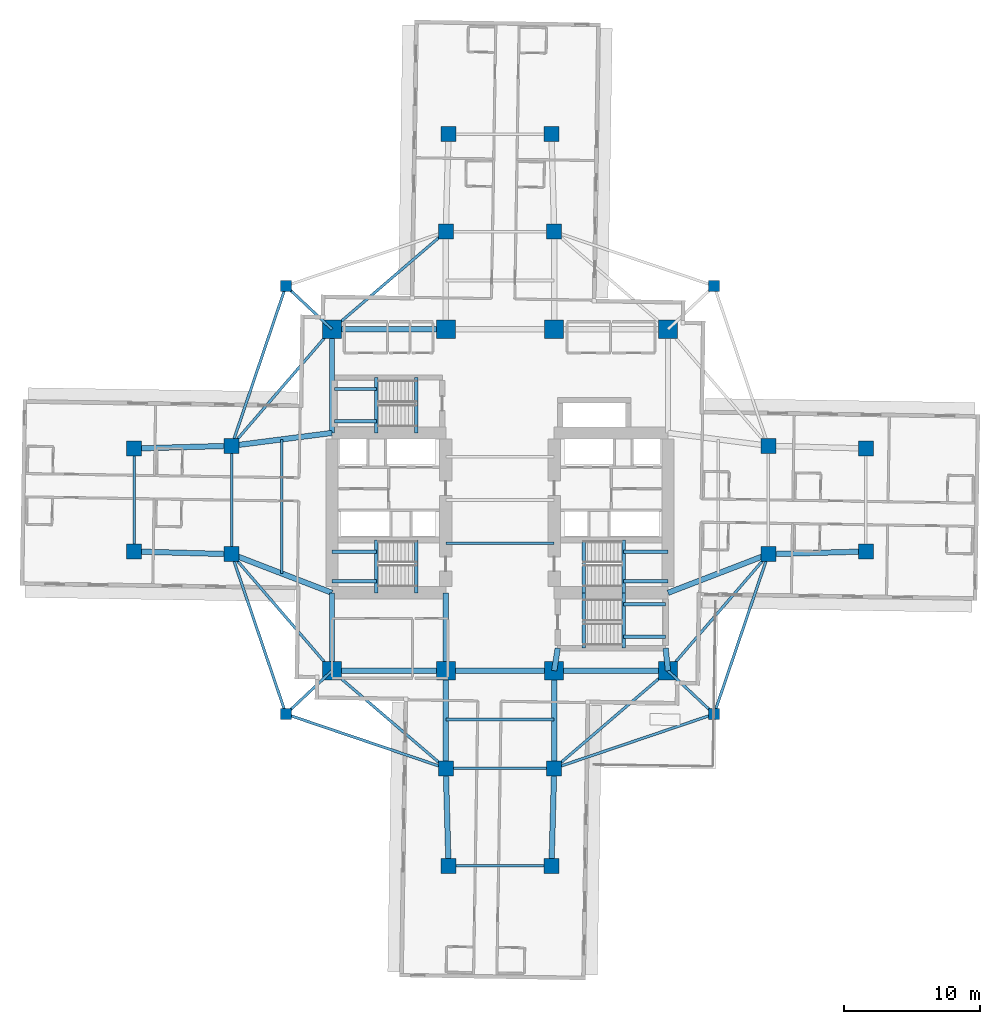
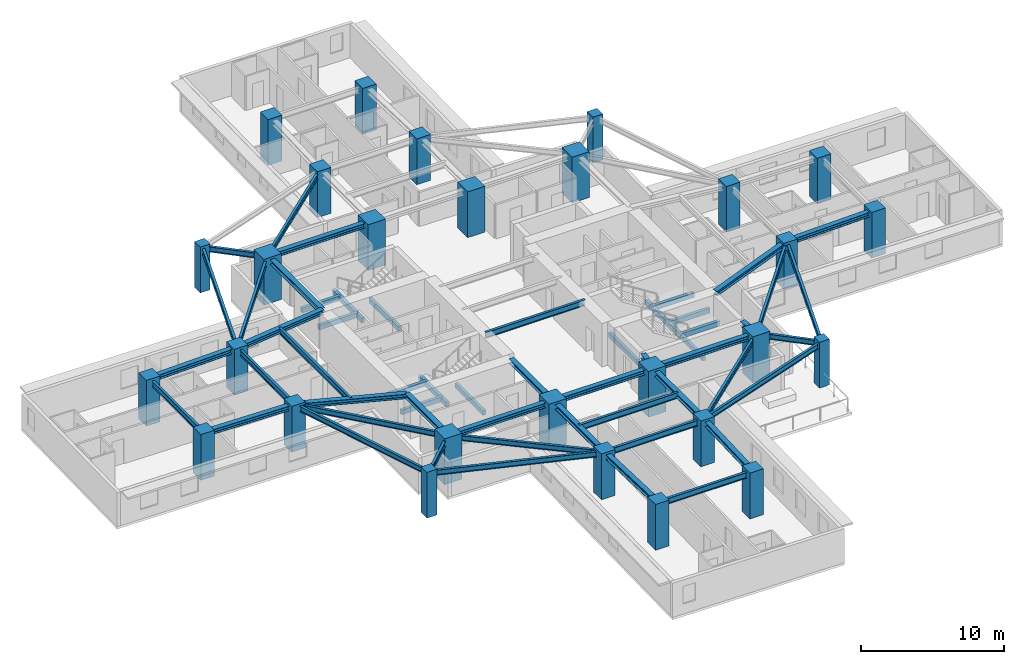
# One storey, part 1 of 13: 56 beams, 28 columns.
"""IFC4 building model written with IfcOpenShell, lengths in metres."""

from ifc_helpers import new_model, si_unit, direction, frame, origin, origin_2d, place, context, subcontext, project, spatial, rectangle, i_section, extrude, material, material_profile, profile_set, type_object, element, save


model = new_model("IFC4")

# Units and contexts
model_context = context("Model", 3, precision=1e-05, world=origin(), true_north=direction((0.0, 1.0)))
body_context = subcontext(model_context, "Body", "Model", "MODEL_VIEW")
ifc_project = project(units=[si_unit("LENGTHUNIT", "METRE"), si_unit("AREAUNIT", "SQUARE_METRE"), si_unit("VOLUMEUNIT", "CUBIC_METRE"), si_unit("PLANEANGLEUNIT", "RADIAN"), si_unit("MASSUNIT", "GRAM", prefix="KILO")], contexts=[model_context])

# Site, building, storey
site_placement = place(None, origin())
site = spatial("IfcSite", under=ifc_project, at=site_placement, CompositionType="ELEMENT")
building_placement = place(site_placement, origin())
building = spatial("IfcBuilding", under=site, at=building_placement, Name="Qingluan Cross Belvedere", CompositionType="ELEMENT")
storey_placement = place(building_placement, frame((0.0, 0.0, 67.800048828125)))
storey = spatial("IfcBuildingStorey", under=building, at=storey_placement, Name="L17", CompositionType="ELEMENT", Elevation=67.800048828125)

# Columns
ifc_material_1 = material(Name="Concrete C60", Category="concrete")
ifc_material_profile_1 = material_profile(ifc_material_1, rectangle(XDim=1.10009765625, YDim=1.10009765625, at=origin_2d()), Name="RC1100x1100")
ifc_profile_set_1 = profile_set([ifc_material_profile_1], Name="Concrete C60")
column_type_1 = type_object("IfcColumnType", Name="Column_RC1100x1100", PredefinedType="COLUMN", material=ifc_profile_set_1)
for number, where, z_axis, x_axis, name in (
    (1, (19.800048828125, -4.0, 0.0), (0.0, 0.0, 1.0), (1.0, 0.0, 0.0), "Arm column L17-EIA"),
    (2, (19.800048828125, 4.0, 0.0), (0.0, 0.0, 1.0), (1.0, 0.0, 0.0), "Arm column L17-EIB"),
    (3, (-19.800048828125, -4.0, 0.0), (0.0, 0.0, 1.0), (1.0, 0.0, 0.0), "Arm column L17-WIA"),
    (4, (-19.800048828125, 4.0, 0.0), (0.0, 0.0, 1.0), (1.0, 0.0, 0.0), "Arm column L17-WIB"),
    (5, (-4.0, -19.800048828125, 0.0), (0.0, 0.0, 1.0), (1.0, 0.0, 0.0), "Arm column L17-SIA"),
    (6, (4.0, -19.800048828125, 0.0), (0.0, 0.0, 1.0), (1.0, 0.0, 0.0), "Arm column L17-SIB"),
    (7, (-4.0, 19.800048828125, 0.0), (0.0, 0.0, 1.0), (1.0, 0.0, 0.0), "Arm column L17-NIA"),
    (8, (4.0, 19.800048828125, 0.0), (0.0, 0.0, 1.0), (1.0, 0.0, 0.0), "Arm column L17-NIB"),
    (9, (27.0, -3.800048828125, 0.0), (0.0, 0.0, 1.0), (1.0, 0.0, 0.0), "Arm column L17-EOA"),
    (10, (27.0, 3.800048828125, 0.0), (0.0, 0.0, 1.0), (1.0, 0.0, 0.0), "Arm column L17-EOB"),
    (11, (-27.0, -3.800048828125, 0.0), (0.0, 0.0, 1.0), (1.0, 0.0, 0.0), "Arm column L17-WOA"),
    (12, (-27.0, 3.800048828125, 0.0), (0.0, 0.0, 1.0), (1.0, 0.0, 0.0), "Arm column L17-WOB"),
    (13, (-3.800048828125, -27.0, 0.0), (0.0, 0.0, 1.0), (1.0, 0.0, 0.0), "Arm column L17-SOA"),
    (14, (3.800048828125, -27.0, 0.0), (0.0, 0.0, 1.0), (1.0, 0.0, 0.0), "Arm column L17-SOB"),
    (15, (-3.800048828125, 27.0, 0.0), (0.0, 0.0, 1.0), (1.0, 0.0, 0.0), "Arm column L17-NOA"),
    (16, (3.800048828125, 27.0, 0.0), (0.0, 0.0, 1.0), (1.0, 0.0, 0.0), "Arm column L17-NOB"),
):
    element("IfcColumn", number, at=place(storey_placement, frame(where, z_axis=z_axis, x_axis=x_axis)), inside=storey, type_object=column_type_1, Name=name, PredefinedType="COLUMN", context=body_context, shape_type="SweptSolid", body=[
        extrude(rectangle(XDim=1.10009765625, YDim=1.10009765625, at=origin_2d()), origin(), (0.0, 0.0, 1.0), 3.89990234375),
    ])
ifc_material_2 = material(Name="Concrete C70", Category="concrete")
ifc_material_profile_2 = material_profile(ifc_material_2, rectangle(XDim=1.39990234375, YDim=1.39990234375, at=origin_2d()), Name="RC1400x1400")
ifc_profile_set_2 = profile_set([ifc_material_profile_2], Name="Concrete C70")
column_type_2 = type_object("IfcColumnType", Name="Column_RC1400x1400", PredefinedType="COLUMN", material=ifc_profile_set_2)
for number, where, z_axis, x_axis, name in (
    (17, (-12.39990234375, -12.60009765625, 0.0), (0.0, 0.0, 1.0), (1.0, 0.0, 0.0), "Hub column L17-HC1"),
    (18, (12.39990234375, -12.60009765625, 0.0), (0.0, 0.0, 1.0), (1.0, 0.0, 0.0), "Hub column L17-HC2"),
    (19, (12.39990234375, 12.60009765625, 0.0), (0.0, 0.0, 1.0), (1.0, 0.0, 0.0), "Hub column L17-HC3"),
    (20, (-12.39990234375, 12.60009765625, 0.0), (0.0, 0.0, 1.0), (1.0, 0.0, 0.0), "Hub column L17-HC4"),
    (21, (-4.0, -12.60009765625, 0.0), (0.0, 0.0, 1.0), (1.0, 0.0, 0.0), "Hub column L17-HC5"),
    (22, (4.0, -12.60009765625, 0.0), (0.0, 0.0, 1.0), (1.0, 0.0, 0.0), "Hub column L17-HC6"),
    (23, (4.0, 12.60009765625, 0.0), (0.0, 0.0, 1.0), (1.0, 0.0, 0.0), "Hub column L17-HC7"),
    (24, (-4.0, 12.60009765625, 0.0), (0.0, 0.0, 1.0), (1.0, 0.0, 0.0), "Hub column L17-HC8"),
):
    element("IfcColumn", number, at=place(storey_placement, frame(where, z_axis=z_axis, x_axis=x_axis)), inside=storey, type_object=column_type_2, Name=name, PredefinedType="COLUMN", context=body_context, shape_type="SweptSolid", body=[
        extrude(rectangle(XDim=1.39990234375, YDim=1.39990234375, at=origin_2d()), origin(), (0.0, 0.0, 1.0), 3.89990234375),
    ])
ifc_material_3 = material(Name="Concrete C50", Category="concrete")
ifc_material_profile_3 = material_profile(ifc_material_3, rectangle(XDim=0.800048828125, YDim=0.800048828125, at=origin_2d()), Name="RC800x800")
ifc_profile_set_3 = profile_set([ifc_material_profile_3], Name="Concrete C50")
column_type_3 = type_object("IfcColumnType", Name="Column_RC800x800", PredefinedType="COLUMN", material=ifc_profile_set_3)
for number, where, z_axis, x_axis, name in (
    (25, (15.800048828125, 15.800048828125, 0.0), (0.0, 0.0, 1.0), (1.0, 0.0, 0.0), "Corner column L17-RNE"),
    (26, (-15.800048828125, 15.800048828125, 0.0), (0.0, 0.0, 1.0), (1.0, 0.0, 0.0), "Corner column L17-RNW"),
    (27, (-15.800048828125, -15.800048828125, 0.0), (0.0, 0.0, 1.0), (1.0, 0.0, 0.0), "Corner column L17-RSW"),
    (28, (15.800048828125, -15.800048828125, 0.0), (0.0, 0.0, 1.0), (1.0, 0.0, 0.0), "Corner column L17-RSE"),
):
    element("IfcColumn", number, at=place(storey_placement, frame(where, z_axis=z_axis, x_axis=x_axis)), inside=storey, type_object=column_type_3, Name=name, PredefinedType="COLUMN", context=body_context, shape_type="SweptSolid", body=[
        extrude(rectangle(XDim=0.800048828125, YDim=0.800048828125, at=origin_2d()), origin(), (0.0, 0.0, 1.0), 3.89990234375),
    ])

# Beams
ifc_material_4 = material(Name="Concrete C45", Category="concrete")
ifc_material_profile_4 = material_profile(ifc_material_4, rectangle(XDim=0.25, YDim=0.39990234375, at=origin_2d()), Name="RC250x400")
ifc_profile_set_4 = profile_set([ifc_material_profile_4], Name="Concrete C45")
beam_type_1 = type_object("IfcBeamType", Name="RC_Lintel_RC250x400", PredefinedType="LINTEL", material=ifc_profile_set_4)
for number, where, z_axis, x_axis, name in (
    (29, (-6.179931640625, -6.85009765625, -0.199951171875), (0.0, 1.0, 0.0), (-1.0, 0.0, 0.0), "Stair ST1 landing beam L17"),
    (30, (6.179931640625, -6.85009765625, -0.199951171875), (0.0, 1.0, 0.0), (-1.0, 0.0, 0.0), "Stair ST2 landing beam L17"),
):
    element("IfcBeam", number, at=place(storey_placement, frame(where, z_axis=z_axis, x_axis=x_axis)), inside=storey, type_object=beam_type_1, Name=name, PredefinedType="LINTEL", context=body_context, shape_type="SweptSolid", body=[
        extrude(rectangle(XDim=0.25, YDim=0.39990234375, at=origin_2d()), origin(), (0.0, 0.0, 1.0), 3.89013671875),
    ])
beam_1_placement = place(storey_placement, frame((-6.179931640625, 4.949951171875, -0.199951171875), z_axis=(0.0, 1.0, 0.0), x_axis=(-1.0, 0.0, 0.0)))
element("IfcBeam", 31, at=beam_1_placement, inside=storey, type_object=beam_type_1, Name="Stair ST3 landing beam L17", PredefinedType="LINTEL", context=body_context, shape_type="SweptSolid", body=[
    extrude(rectangle(XDim=0.25, YDim=0.39990234375, at=origin_2d()), origin(), (0.0, 0.0, 1.0), 4.090087890625),
])
beam_2_placement = place(storey_placement, frame((6.179931640625, -10.93994140625, -0.199951171875), z_axis=(0.0, 1.0, 0.0), x_axis=(-1.0, 0.0, 0.0)))
element("IfcBeam", 32, at=beam_2_placement, inside=storey, type_object=beam_type_1, Name="Stair ST4 landing beam L17", PredefinedType="LINTEL", context=body_context, shape_type="SweptSolid", body=[
    extrude(rectangle(XDim=0.25, YDim=0.39990234375, at=origin_2d()), origin(), (0.0, 0.0, 1.0), 4.08984375),
])
beam_3_placement = place(storey_placement, frame((-9.1298828125, -6.85009765625, 1.550048828125), z_axis=(0.0, 1.0, 0.0), x_axis=(-1.0, 0.0, 0.0)))
element("IfcBeam", 33, at=beam_3_placement, inside=storey, type_object=beam_type_1, Name="Stair ST1 beam A L17", PredefinedType="LINTEL", context=body_context, shape_type="SweptSolid", body=[
    extrude(rectangle(XDim=0.25, YDim=0.39990234375, at=origin_2d()), origin(), (0.0, 0.0, 1.0), 3.89013671875),
])
for number, where, z_axis, x_axis, name in (
    (34, (-12.39990234375, -6.0, 1.550048828125), (1.0, 0.0, 0.0), (0.0, 1.0, 0.0), "Stair ST1 beam B L17"),
    (35, (-12.39990234375, -3.81005859375, 1.550048828125), (1.0, 0.0, 0.0), (0.0, 1.0, 0.0), "Stair ST1 beam C L17"),
):
    element("IfcBeam", number, at=place(storey_placement, frame(where, z_axis=z_axis, x_axis=x_axis)), inside=storey, type_object=beam_type_1, Name=name, PredefinedType="LINTEL", context=body_context, shape_type="SweptSolid", body=[
        extrude(rectangle(XDim=0.25, YDim=0.39990234375, at=origin_2d()), origin(), (0.0, 0.0, 1.0), 3.27001953125),
    ])
beam_4_placement = place(storey_placement, frame((9.1298828125, -6.85009765625, 1.550048828125), z_axis=(0.0, 1.0, 0.0), x_axis=(-1.0, 0.0, 0.0)))
element("IfcBeam", 36, at=beam_4_placement, inside=storey, type_object=beam_type_1, Name="Stair ST2 beam A L17", PredefinedType="LINTEL", context=body_context, shape_type="SweptSolid", body=[
    extrude(rectangle(XDim=0.25, YDim=0.39990234375, at=origin_2d()), origin(), (0.0, 0.0, 1.0), 3.89013671875),
])
for number, where, z_axis, x_axis, name in (
    (37, (12.39990234375, -6.0, 1.550048828125), (-1.0, 0.0, 0.0), (0.0, -1.0, 0.0), "Stair ST2 beam B L17"),
    (38, (12.39990234375, -3.81005859375, 1.550048828125), (-1.0, 0.0, 0.0), (0.0, -1.0, 0.0), "Stair ST2 beam C L17"),
):
    element("IfcBeam", number, at=place(storey_placement, frame(where, z_axis=z_axis, x_axis=x_axis)), inside=storey, type_object=beam_type_1, Name=name, PredefinedType="LINTEL", context=body_context, shape_type="SweptSolid", body=[
        extrude(rectangle(XDim=0.25, YDim=0.39990234375, at=origin_2d()), origin(), (0.0, 0.0, 1.0), 3.27001953125),
    ])
beam_5_placement = place(storey_placement, frame((-9.1298828125, 4.949951171875, 1.550048828125), z_axis=(0.0, 1.0, 0.0), x_axis=(-1.0, 0.0, 0.0)))
element("IfcBeam", 39, at=beam_5_placement, inside=storey, type_object=beam_type_1, Name="Stair ST3 beam A L17", PredefinedType="LINTEL", context=body_context, shape_type="SweptSolid", body=[
    extrude(rectangle(XDim=0.25, YDim=0.39990234375, at=origin_2d()), origin(), (0.0, 0.0, 1.0), 4.090087890625),
])
for number, where, z_axis, x_axis, name in (
    (40, (-12.219970703125, 5.800048828125, 1.550048828125), (1.0, 0.0, 0.0), (0.0, 1.0, 0.0), "Stair ST3 beam B L17"),
    (41, (-12.219970703125, 8.18994140625, 1.550048828125), (1.0, 0.0, 0.0), (0.0, 1.0, 0.0), "Stair ST3 beam C L17"),
):
    element("IfcBeam", number, at=place(storey_placement, frame(where, z_axis=z_axis, x_axis=x_axis)), inside=storey, type_object=beam_type_1, Name=name, PredefinedType="LINTEL", context=body_context, shape_type="SweptSolid", body=[
        extrude(rectangle(XDim=0.25, YDim=0.39990234375, at=origin_2d()), origin(), (0.0, 0.0, 1.0), 3.090087890625),
    ])
beam_6_placement = place(storey_placement, frame((9.1298828125, -10.93994140625, 1.550048828125), z_axis=(0.0, 1.0, 0.0), x_axis=(-1.0, 0.0, 0.0)))
element("IfcBeam", 42, at=beam_6_placement, inside=storey, type_object=beam_type_1, Name="Stair ST4 beam A L17", PredefinedType="LINTEL", context=body_context, shape_type="SweptSolid", body=[
    extrude(rectangle(XDim=0.25, YDim=0.39990234375, at=origin_2d()), origin(), (0.0, 0.0, 1.0), 4.08984375),
])
for number, where, z_axis, x_axis, name in (
    (43, (12.219970703125, -10.090087890625, 1.550048828125), (-1.0, 0.0, 0.0), (0.0, -1.0, 0.0), "Stair ST4 beam B L17"),
    (44, (12.219970703125, -7.699951171875, 1.550048828125), (-1.0, 0.0, 0.0), (0.0, -1.0, 0.0), "Stair ST4 beam C L17"),
):
    element("IfcBeam", number, at=place(storey_placement, frame(where, z_axis=z_axis, x_axis=x_axis)), inside=storey, type_object=beam_type_1, Name=name, PredefinedType="LINTEL", context=body_context, shape_type="SweptSolid", body=[
        extrude(rectangle(XDim=0.25, YDim=0.39990234375, at=origin_2d()), origin(), (0.0, 0.0, 1.0), 3.090087890625),
    ])
ifc_material_5 = material(Name="Steel Q420GJB", Category="steel")
ifc_material_profile_5 = material_profile(ifc_material_5, i_section(OverallWidth=0.199951171875, OverallDepth=0.449951171875, WebThickness=0.009033203125, FlangeThickness=0.013916015625, FilletRadius=0.01611328125, at=origin_2d()), Name="HN450x200x9x14")
ifc_profile_set_5 = profile_set([ifc_material_profile_5], Name="Steel Q420GJB")
beam_type_2 = type_object("IfcBeamType", Name="Steel_Beam_HN450x200x9x14", PredefinedType="JOIST", material=ifc_profile_set_5)
beam_7_placement = place(storey_placement, frame((-12.39990234375, 12.60009765625, 3.474853515625), z_axis=(-0.728219948308, 0.685343495546, 0.0), x_axis=(-0.685343495546, -0.728219948308, 0.0)))
element("IfcBeam", 45, at=beam_7_placement, inside=storey, type_object=beam_type_2, Name="Corner beam 1 L17-RNW", PredefinedType="JOIST", context=body_context, shape_type="SweptSolid", body=[
    extrude(i_section(OverallWidth=0.199951171875, OverallDepth=0.449951171875, WebThickness=0.009033203125, FlangeThickness=0.013916015625, FilletRadius=0.01611328125, at=origin_2d()), origin(), (0.0, 0.0, 1.0), 4.669189453125),
])
beam_8_placement = place(storey_placement, frame((-15.800048828125, 15.800048828125, 3.474853515625), z_axis=(-0.321038089628, -0.947066283324, 0.0), x_axis=(0.947066283324, -0.321038089628, 0.0)))
element("IfcBeam", 46, at=beam_8_placement, inside=storey, type_object=beam_type_2, Name="Corner beam 3 L17-RNW", PredefinedType="JOIST", context=body_context, shape_type="SweptSolid", body=[
    extrude(i_section(OverallWidth=0.199951171875, OverallDepth=0.449951171875, WebThickness=0.009033203125, FlangeThickness=0.013916015625, FilletRadius=0.01611328125, at=origin_2d()), origin(), (0.0, 0.0, 1.0), 12.45947265625),
])
beam_9_placement = place(storey_placement, frame((-12.39990234375, 12.60009765625, 3.474853515625), z_axis=(-0.652245077546, -0.75800815221, 0.0), x_axis=(0.75800815221, -0.652245077546, 0.0)))
element("IfcBeam", 47, at=beam_9_placement, inside=storey, type_object=beam_type_2, Name="Corner beam 4 L17-RNW", PredefinedType="JOIST", context=body_context, shape_type="SweptSolid", body=[
    extrude(i_section(OverallWidth=0.199951171875, OverallDepth=0.449951171875, WebThickness=0.009033203125, FlangeThickness=0.013916015625, FilletRadius=0.01611328125, at=origin_2d()), origin(), (0.0, 0.0, 1.0), 11.345703125),
])
beam_10_placement = place(storey_placement, frame((-12.39990234375, 12.60009765625, 3.474853515625), z_axis=(0.759255044656, 0.650793190779, 0.0), x_axis=(-0.650793190779, 0.759255044656, 0.0)))
element("IfcBeam", 48, at=beam_10_placement, inside=storey, type_object=beam_type_2, Name="Corner beam 5 L17-RNW", PredefinedType="JOIST", context=body_context, shape_type="SweptSolid", body=[
    extrude(i_section(OverallWidth=0.199951171875, OverallDepth=0.449951171875, WebThickness=0.009033203125, FlangeThickness=0.013916015625, FilletRadius=0.01611328125, at=origin_2d()), origin(), (0.0, 0.0, 1.0), 11.063232421875),
])
beam_11_placement = place(storey_placement, frame((-12.39990234375, -12.60009765625, 3.474853515625), z_axis=(-0.728219948308, -0.685343495546, 0.0), x_axis=(0.685343495546, -0.728219948308, 0.0)))
element("IfcBeam", 49, at=beam_11_placement, inside=storey, type_object=beam_type_2, Name="Corner beam 1 L17-RSW", PredefinedType="JOIST", context=body_context, shape_type="SweptSolid", body=[
    extrude(i_section(OverallWidth=0.199951171875, OverallDepth=0.449951171875, WebThickness=0.009033203125, FlangeThickness=0.013916015625, FilletRadius=0.01611328125, at=origin_2d()), origin(), (0.0, 0.0, 1.0), 4.669189453125),
])
for number, where, z_axis, x_axis, name in (
    (50, (-15.800048828125, -15.800048828125, 3.474853515625), (0.947066283324, -0.321038089628, 0.0), (0.321038089628, 0.947066283324, 0.0), "Corner beam 2 L17-RSW"),
    (51, (-15.800048828125, -15.800048828125, 3.474853515625), (-0.321038089628, 0.947066283324, 0.0), (-0.947066283324, -0.321038089628, 0.0), "Corner beam 3 L17-RSW"),
):
    element("IfcBeam", number, at=place(storey_placement, frame(where, z_axis=z_axis, x_axis=x_axis)), inside=storey, type_object=beam_type_2, Name=name, PredefinedType="JOIST", context=body_context, shape_type="SweptSolid", body=[
        extrude(i_section(OverallWidth=0.199951171875, OverallDepth=0.449951171875, WebThickness=0.009033203125, FlangeThickness=0.013916015625, FilletRadius=0.01611328125, at=origin_2d()), origin(), (0.0, 0.0, 1.0), 12.45947265625),
    ])
beam_12_placement = place(storey_placement, frame((-12.39990234375, -12.60009765625, 3.474853515625), z_axis=(-0.652245077546, 0.75800815221, 0.0), x_axis=(-0.75800815221, -0.652245077546, 0.0)))
element("IfcBeam", 52, at=beam_12_placement, inside=storey, type_object=beam_type_2, Name="Corner beam 4 L17-RSW", PredefinedType="JOIST", context=body_context, shape_type="SweptSolid", body=[
    extrude(i_section(OverallWidth=0.199951171875, OverallDepth=0.449951171875, WebThickness=0.009033203125, FlangeThickness=0.013916015625, FilletRadius=0.01611328125, at=origin_2d()), origin(), (0.0, 0.0, 1.0), 11.345703125),
])
beam_13_placement = place(storey_placement, frame((-12.39990234375, -12.60009765625, 3.474853515625), z_axis=(0.759255044656, -0.650793190779, 0.0), x_axis=(0.650793190779, 0.759255044656, 0.0)))
element("IfcBeam", 53, at=beam_13_placement, inside=storey, type_object=beam_type_2, Name="Corner beam 5 L17-RSW", PredefinedType="JOIST", context=body_context, shape_type="SweptSolid", body=[
    extrude(i_section(OverallWidth=0.199951171875, OverallDepth=0.449951171875, WebThickness=0.009033203125, FlangeThickness=0.013916015625, FilletRadius=0.01611328125, at=origin_2d()), origin(), (0.0, 0.0, 1.0), 11.063232421875),
])
beam_14_placement = place(storey_placement, frame((12.39990234375, -12.60009765625, 3.454833984375), z_axis=(0.728219948308, -0.685343495546, 0.0), x_axis=(0.685343495546, 0.728219948308, 0.0)))
element("IfcBeam", 54, at=beam_14_placement, inside=storey, type_object=beam_type_2, Name="Corner beam 1 L17-RSE", PredefinedType="JOIST", context=body_context, shape_type="SweptSolid", body=[
    extrude(i_section(OverallWidth=0.199951171875, OverallDepth=0.449951171875, WebThickness=0.009033203125, FlangeThickness=0.013916015625, FilletRadius=0.01611328125, at=origin_2d()), origin(), (0.0, 0.0, 1.0), 4.669189453125),
])
for number, where, z_axis, x_axis, name in (
    (55, (15.800048828125, -15.800048828125, 3.454833984375), (-0.947066283324, -0.321038089628, 0.0), (0.321038089628, -0.947066283324, 0.0), "Corner beam 2 L17-RSE"),
    (56, (15.800048828125, -15.800048828125, 3.454833984375), (0.321038089628, 0.947066283324, 0.0), (-0.947066283324, 0.321038089628, 0.0), "Corner beam 3 L17-RSE"),
):
    element("IfcBeam", number, at=place(storey_placement, frame(where, z_axis=z_axis, x_axis=x_axis)), inside=storey, type_object=beam_type_2, Name=name, PredefinedType="JOIST", context=body_context, shape_type="SweptSolid", body=[
        extrude(i_section(OverallWidth=0.199951171875, OverallDepth=0.449951171875, WebThickness=0.009033203125, FlangeThickness=0.013916015625, FilletRadius=0.01611328125, at=origin_2d()), origin(), (0.0, 0.0, 1.0), 12.45947265625),
    ])
beam_15_placement = place(storey_placement, frame((12.39990234375, -12.60009765625, 3.454833984375), z_axis=(0.652245077546, 0.75800815221, 0.0), x_axis=(-0.75800815221, 0.652245077546, 0.0)))
element("IfcBeam", 57, at=beam_15_placement, inside=storey, type_object=beam_type_2, Name="Corner beam 4 L17-RSE", PredefinedType="JOIST", context=body_context, shape_type="SweptSolid", body=[
    extrude(i_section(OverallWidth=0.199951171875, OverallDepth=0.449951171875, WebThickness=0.009033203125, FlangeThickness=0.013916015625, FilletRadius=0.01611328125, at=origin_2d()), origin(), (0.0, 0.0, 1.0), 11.345703125),
])
beam_16_placement = place(storey_placement, frame((12.39990234375, -12.60009765625, 3.454833984375), z_axis=(-0.759255044656, -0.650793190779, 0.0), x_axis=(0.650793190779, -0.759255044656, 0.0)))
element("IfcBeam", 58, at=beam_16_placement, inside=storey, type_object=beam_type_2, Name="Corner beam 5 L17-RSE", PredefinedType="JOIST", context=body_context, shape_type="SweptSolid", body=[
    extrude(i_section(OverallWidth=0.199951171875, OverallDepth=0.449951171875, WebThickness=0.009033203125, FlangeThickness=0.013916015625, FilletRadius=0.01611328125, at=origin_2d()), origin(), (0.0, 0.0, 1.0), 11.063232421875),
])
ifc_material_6 = material(Name="Steel Q420GJB", Category="steel")
ifc_material_profile_6 = material_profile(ifc_material_6, i_section(OverallWidth=0.199951171875, OverallDepth=0.5, WebThickness=0.010009765625, FlangeThickness=0.01611328125, FilletRadius=0.01611328125, at=origin_2d()), Name="HN500x200x10x16")
ifc_profile_set_6 = profile_set([ifc_material_profile_6], Name="Steel Q420GJB")
beam_type_3 = type_object("IfcBeamType", Name="Steel_Beam_HN500x200x10x16", PredefinedType="JOIST", material=ifc_profile_set_6)
for number, where, z_axis, x_axis, name in (
    (59, (-4.0, -3.199951171875, 3.449951171875), (1.0, 0.0, 0.0), (0.0, 1.0, 0.0), "Hall beam L17-CH1"),
    (60, (-19.800048828125, -4.0, 3.449951171875), (0.0, 1.0, 0.0), (-1.0, 0.0, 0.0), "Arm W tie L17"),
):
    element("IfcBeam", number, at=place(storey_placement, frame(where, z_axis=z_axis, x_axis=x_axis)), inside=storey, type_object=beam_type_3, Name=name, PredefinedType="JOIST", context=body_context, shape_type="SweptSolid", body=[
        extrude(i_section(OverallWidth=0.199951171875, OverallDepth=0.5, WebThickness=0.010009765625, FlangeThickness=0.01611328125, FilletRadius=0.01611328125, at=origin_2d()), origin(), (0.0, 0.0, 1.0), 8.0),
    ])
beam_17_placement = place(storey_placement, frame((-16.10009765625, -5.425048828125, 3.449951171875), z_axis=(0.0, 1.0, 0.0), x_axis=(-1.0, 0.0, 0.0)))
element("IfcBeam", 61, at=beam_17_placement, inside=storey, type_object=beam_type_3, Name="Arm W beam L17", PredefinedType="JOIST", context=body_context, shape_type="SweptSolid", body=[
    extrude(i_section(OverallWidth=0.199951171875, OverallDepth=0.5, WebThickness=0.010009765625, FlangeThickness=0.01611328125, FilletRadius=0.01611328125, at=origin_2d()), origin(), (0.0, 0.0, 1.0), 9.900146484375),
])
beam_18_placement = place(storey_placement, frame((-27.0, -3.800048828125, 3.449951171875), z_axis=(0.0, 1.0, 0.0), x_axis=(-1.0, 0.0, 0.0)))
element("IfcBeam", 62, at=beam_18_placement, inside=storey, type_object=beam_type_3, Name="Arm W tip transverse beam L17", PredefinedType="JOIST", context=body_context, shape_type="SweptSolid", body=[
    extrude(i_section(OverallWidth=0.199951171875, OverallDepth=0.5, WebThickness=0.010009765625, FlangeThickness=0.01611328125, FilletRadius=0.01611328125, at=origin_2d()), origin(), (0.0, 0.0, 1.0), 7.60009765625),
])
for number, where, z_axis, x_axis, name in (
    (63, (-4.0, -19.800048828125, 3.449951171875), (1.0, 0.0, 0.0), (0.0, 1.0, 0.0), "Arm S tie L17"),
    (64, (-4.0, -16.199951171875, 3.449951171875), (1.0, 0.0, 0.0), (0.0, 1.0, 0.0), "Arm S beam L17"),
):
    element("IfcBeam", number, at=place(storey_placement, frame(where, z_axis=z_axis, x_axis=x_axis)), inside=storey, type_object=beam_type_3, Name=name, PredefinedType="JOIST", context=body_context, shape_type="SweptSolid", body=[
        extrude(i_section(OverallWidth=0.199951171875, OverallDepth=0.5, WebThickness=0.010009765625, FlangeThickness=0.01611328125, FilletRadius=0.01611328125, at=origin_2d()), origin(), (0.0, 0.0, 1.0), 8.0),
    ])
beam_19_placement = place(storey_placement, frame((-3.800048828125, -27.0, 3.449951171875), z_axis=(1.0, 0.0, 0.0), x_axis=(0.0, 1.0, 0.0)))
element("IfcBeam", 65, at=beam_19_placement, inside=storey, type_object=beam_type_3, Name="Arm S tip transverse beam L17", PredefinedType="JOIST", context=body_context, shape_type="SweptSolid", body=[
    extrude(i_section(OverallWidth=0.199951171875, OverallDepth=0.5, WebThickness=0.010009765625, FlangeThickness=0.01611328125, FilletRadius=0.01611328125, at=origin_2d()), origin(), (0.0, 0.0, 1.0), 7.60009765625),
])
ifc_material_7 = material(Name="Steel Q420GJB", Category="steel")
ifc_material_profile_7 = material_profile(ifc_material_7, i_section(OverallWidth=0.39990234375, OverallDepth=0.39990234375, WebThickness=0.012939453125, FlangeThickness=0.02099609375, FilletRadius=0.02197265625, at=origin_2d()), Name="HW400x400x13x21")
ifc_profile_set_7 = profile_set([ifc_material_profile_7], Name="Steel Q420GJB")
beam_type_4 = type_object("IfcBeamType", Name="Steel_Girder_HW400x400x13x21", PredefinedType="USERDEFINED", material=ifc_profile_set_7)
beam_20_placement = place(storey_placement, frame((-12.39990234375, -12.60009765625, 3.5), z_axis=(1.0, 0.0, 0.0), x_axis=(0.0, 1.0, 0.0)))
element("IfcBeam", 66, at=beam_20_placement, inside=storey, type_object=beam_type_4, Name="Hub girder L17-HG-S1", ObjectType="GIRDER", PredefinedType="USERDEFINED", context=body_context, shape_type="SweptSolid", body=[
    extrude(i_section(OverallWidth=0.39990234375, OverallDepth=0.39990234375, WebThickness=0.012939453125, FlangeThickness=0.02099609375, FilletRadius=0.02197265625, at=origin_2d()), origin(), (0.0, 0.0, 1.0), 8.39990234375),
])
beam_21_placement = place(storey_placement, frame((-4.0, -12.60009765625, 3.5), z_axis=(1.0, 0.0, 0.0), x_axis=(0.0, 1.0, 0.0)))
element("IfcBeam", 67, at=beam_21_placement, inside=storey, type_object=beam_type_4, Name="Hub girder L17-HG-S2", ObjectType="GIRDER", PredefinedType="USERDEFINED", context=body_context, shape_type="SweptSolid", body=[
    extrude(i_section(OverallWidth=0.39990234375, OverallDepth=0.39990234375, WebThickness=0.012939453125, FlangeThickness=0.02099609375, FilletRadius=0.02197265625, at=origin_2d()), origin(), (0.0, 0.0, 1.0), 8.0),
])
for number, where, z_axis, x_axis, name in (
    (68, (4.0, -12.60009765625, 3.5), (1.0, 0.0, 0.0), (0.0, 1.0, 0.0), "Hub girder L17-HG-S3"),
    (69, (-12.39990234375, 12.60009765625, 3.5), (1.0, 0.0, 0.0), (0.0, 1.0, 0.0), "Hub girder L17-HG-N1"),
):
    element("IfcBeam", number, at=place(storey_placement, frame(where, z_axis=z_axis, x_axis=x_axis)), inside=storey, type_object=beam_type_4, Name=name, ObjectType="GIRDER", PredefinedType="USERDEFINED", context=body_context, shape_type="SweptSolid", body=[
        extrude(i_section(OverallWidth=0.39990234375, OverallDepth=0.39990234375, WebThickness=0.012939453125, FlangeThickness=0.02099609375, FilletRadius=0.02197265625, at=origin_2d()), origin(), (0.0, 0.0, 1.0), 8.39990234375),
    ])
beam_22_placement = place(storey_placement, frame((-12.39990234375, -12.60009765625, 3.5), z_axis=(0.0, 1.0, 0.0), x_axis=(-1.0, 0.0, 0.0)))
element("IfcBeam", 70, at=beam_22_placement, inside=storey, type_object=beam_type_4, Name="Hub girder L17-HG-W1", ObjectType="GIRDER", PredefinedType="USERDEFINED", context=body_context, shape_type="SweptSolid", body=[
    extrude(i_section(OverallWidth=0.39990234375, OverallDepth=0.39990234375, WebThickness=0.012939453125, FlangeThickness=0.02099609375, FilletRadius=0.02197265625, at=origin_2d()), origin(), (0.0, 0.0, 1.0), 5.75),
])
beam_23_placement = place(storey_placement, frame((-12.39990234375, 4.949951171875, 3.5), z_axis=(0.0, 1.0, 0.0), x_axis=(-1.0, 0.0, 0.0)))
element("IfcBeam", 71, at=beam_23_placement, inside=storey, type_object=beam_type_4, Name="Hub girder L17-HG-W2", ObjectType="GIRDER", PredefinedType="USERDEFINED", context=body_context, shape_type="SweptSolid", body=[
    extrude(i_section(OverallWidth=0.39990234375, OverallDepth=0.39990234375, WebThickness=0.012939453125, FlangeThickness=0.02099609375, FilletRadius=0.02197265625, at=origin_2d()), origin(), (0.0, 0.0, 1.0), 7.650146484375),
])
beam_24_placement = place(storey_placement, frame((12.39990234375, -12.60009765625, 3.5), z_axis=(-0.107751337451, 0.994177876075, 0.0), x_axis=(-0.994177876075, -0.107751337451, 0.0)))
element("IfcBeam", 72, at=beam_24_placement, inside=storey, type_object=beam_type_4, Name="Hub girder L17-HG-E1", ObjectType="GIRDER", PredefinedType="USERDEFINED", context=body_context, shape_type="SweptSolid", body=[
    extrude(i_section(OverallWidth=0.39990234375, OverallDepth=0.39990234375, WebThickness=0.012939453125, FlangeThickness=0.02099609375, FilletRadius=0.02197265625, at=origin_2d()), origin(), (0.0, 0.0, 1.0), 1.669921875),
])
beam_25_placement = place(storey_placement, frame((-4.0, -12.60009765625, 3.5), z_axis=(0.0, 1.0, 0.0), x_axis=(-1.0, 0.0, 0.0)))
element("IfcBeam", 73, at=beam_25_placement, inside=storey, type_object=beam_type_4, Name="Hub girder L17-HG-CW", ObjectType="GIRDER", PredefinedType="USERDEFINED", context=body_context, shape_type="SweptSolid", body=[
    extrude(i_section(OverallWidth=0.39990234375, OverallDepth=0.39990234375, WebThickness=0.012939453125, FlangeThickness=0.02099609375, FilletRadius=0.02197265625, at=origin_2d()), origin(), (0.0, 0.0, 1.0), 5.75),
])
beam_26_placement = place(storey_placement, frame((4.0, -12.60009765625, 3.5), z_axis=(0.154731433337, 0.987956569662, 0.0), x_axis=(-0.987956569662, 0.154731433337, 0.0)))
element("IfcBeam", 74, at=beam_26_placement, inside=storey, type_object=beam_type_4, Name="Hub girder L17-HG-CE", ObjectType="GIRDER", PredefinedType="USERDEFINED", context=body_context, shape_type="SweptSolid", body=[
    extrude(i_section(OverallWidth=0.39990234375, OverallDepth=0.39990234375, WebThickness=0.012939453125, FlangeThickness=0.02099609375, FilletRadius=0.02197265625, at=origin_2d()), origin(), (0.0, 0.0, 1.0), 1.680419921875),
])
beam_27_placement = place(storey_placement, frame((12.39990234375, -6.85009765625, 3.5), z_axis=(0.933181258889, 0.359406090735, 0.0), x_axis=(-0.359406090735, 0.933181258889, 0.0)))
element("IfcBeam", 75, at=beam_27_placement, inside=storey, type_object=beam_type_4, Name="Arm E radial girder A L17", ObjectType="GIRDER", PredefinedType="USERDEFINED", context=body_context, shape_type="SweptSolid", body=[
    extrude(i_section(OverallWidth=0.39990234375, OverallDepth=0.39990234375, WebThickness=0.012939453125, FlangeThickness=0.02099609375, FilletRadius=0.02197265625, at=origin_2d()), origin(), (0.0, 0.0, 1.0), 7.929931640625),
])
beam_28_placement = place(storey_placement, frame((19.800048828125, -4.0, 3.5), z_axis=(0.999614603568, 0.027760481514, 0.0), x_axis=(-0.027760481514, 0.999614603568, 0.0)))
element("IfcBeam", 76, at=beam_28_placement, inside=storey, type_object=beam_type_4, Name="Arm E outer radial girder A L17", ObjectType="GIRDER", PredefinedType="USERDEFINED", context=body_context, shape_type="SweptSolid", body=[
    extrude(i_section(OverallWidth=0.39990234375, OverallDepth=0.39990234375, WebThickness=0.012939453125, FlangeThickness=0.02099609375, FilletRadius=0.02197265625, at=origin_2d()), origin(), (0.0, 0.0, 1.0), 7.20263671875),
])
beam_29_placement = place(storey_placement, frame((-12.39990234375, -6.85009765625, 3.5), z_axis=(-0.933181258889, 0.359406090735, 0.0), x_axis=(-0.359406090735, -0.933181258889, 0.0)))
element("IfcBeam", 77, at=beam_29_placement, inside=storey, type_object=beam_type_4, Name="Arm W radial girder A L17", ObjectType="GIRDER", PredefinedType="USERDEFINED", context=body_context, shape_type="SweptSolid", body=[
    extrude(i_section(OverallWidth=0.39990234375, OverallDepth=0.39990234375, WebThickness=0.012939453125, FlangeThickness=0.02099609375, FilletRadius=0.02197265625, at=origin_2d()), origin(), (0.0, 0.0, 1.0), 7.929931640625),
])
beam_30_placement = place(storey_placement, frame((-12.39990234375, 4.949951171875, 3.5), z_axis=(-0.991861120628, -0.12732445714, 0.0), x_axis=(0.12732445714, -0.991861120628, 0.0)))
element("IfcBeam", 78, at=beam_30_placement, inside=storey, type_object=beam_type_4, Name="Arm W radial girder B L17", ObjectType="GIRDER", PredefinedType="USERDEFINED", context=body_context, shape_type="SweptSolid", body=[
    extrude(i_section(OverallWidth=0.39990234375, OverallDepth=0.39990234375, WebThickness=0.012939453125, FlangeThickness=0.02099609375, FilletRadius=0.02197265625, at=origin_2d()), origin(), (0.0, 0.0, 1.0), 7.4609375),
])
for number, where, z_axis, x_axis, name in (
    (79, (-19.800048828125, -4.0, 3.5), (-0.999614603568, 0.027760481514, 0.0), (-0.027760481514, -0.999614603568, 0.0), "Arm W outer radial girder A L17"),
    (80, (-19.800048828125, 4.0, 3.5), (-0.999614603568, -0.027760481514, 0.0), (0.027760481514, -0.999614603568, 0.0), "Arm W outer radial girder B L17"),
):
    element("IfcBeam", number, at=place(storey_placement, frame(where, z_axis=z_axis, x_axis=x_axis)), inside=storey, type_object=beam_type_4, Name=name, ObjectType="GIRDER", PredefinedType="USERDEFINED", context=body_context, shape_type="SweptSolid", body=[
        extrude(i_section(OverallWidth=0.39990234375, OverallDepth=0.39990234375, WebThickness=0.012939453125, FlangeThickness=0.02099609375, FilletRadius=0.02197265625, at=origin_2d()), origin(), (0.0, 0.0, 1.0), 7.20263671875),
    ])
for number, where, z_axis, x_axis, name in (
    (81, (-4.0, -12.60009765625, 3.5), (0.0, -1.0, 0.0), (1.0, 0.0, 0.0), "Arm S radial girder A L17"),
    (82, (4.0, -12.60009765625, 3.5), (0.0, -1.0, 0.0), (1.0, 0.0, 0.0), "Arm S radial girder B L17"),
):
    element("IfcBeam", number, at=place(storey_placement, frame(where, z_axis=z_axis, x_axis=x_axis)), inside=storey, type_object=beam_type_4, Name=name, ObjectType="GIRDER", PredefinedType="USERDEFINED", context=body_context, shape_type="SweptSolid", body=[
        extrude(i_section(OverallWidth=0.39990234375, OverallDepth=0.39990234375, WebThickness=0.012939453125, FlangeThickness=0.02099609375, FilletRadius=0.02197265625, at=origin_2d()), origin(), (0.0, 0.0, 1.0), 7.199951171875),
    ])
for number, where, z_axis, x_axis, name in (
    (83, (-4.0, -19.800048828125, 3.5), (0.027760481514, -0.999614603568, 0.0), (0.999614603568, 0.027760481514, 0.0), "Arm S outer radial girder A L17"),
    (84, (4.0, -19.800048828125, 3.5), (-0.027760481514, -0.999614603568, 0.0), (0.999614603568, -0.027760481514, 0.0), "Arm S outer radial girder B L17"),
):
    element("IfcBeam", number, at=place(storey_placement, frame(where, z_axis=z_axis, x_axis=x_axis)), inside=storey, type_object=beam_type_4, Name=name, ObjectType="GIRDER", PredefinedType="USERDEFINED", context=body_context, shape_type="SweptSolid", body=[
        extrude(i_section(OverallWidth=0.39990234375, OverallDepth=0.39990234375, WebThickness=0.012939453125, FlangeThickness=0.02099609375, FilletRadius=0.02197265625, at=origin_2d()), origin(), (0.0, 0.0, 1.0), 7.20263671875),
    ])

save(model, "model.ifc")
